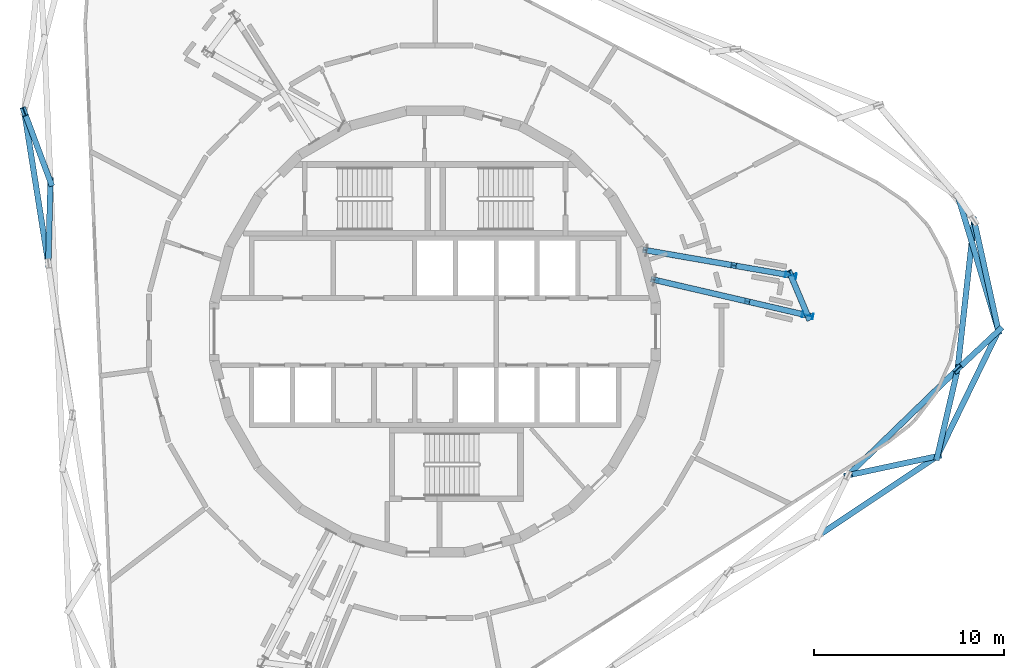
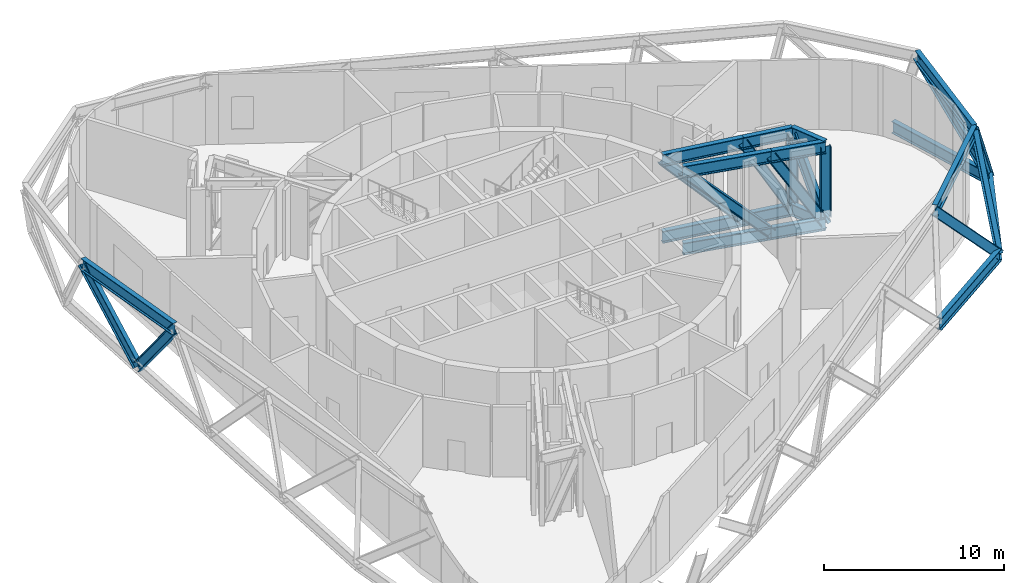
# One storey, part 2 of 12: 29 members.
"""IFC4 building model written with IfcOpenShell, lengths in metres."""

from ifc_helpers import new_model, si_unit, direction, frame, origin, origin_2d, place, context, subcontext, project, spatial, i_section, extrude, material, material_profile, profile_set, type_object, element, save


model = new_model("IFC4")

# Units and contexts
model_context = context("Model", 3, precision=1e-05, world=origin(), true_north=direction((0.0, 1.0)))
body_context = subcontext(model_context, "Body", "Model", "MODEL_VIEW")
ifc_project = project(units=[si_unit("LENGTHUNIT", "METRE"), si_unit("AREAUNIT", "SQUARE_METRE"), si_unit("VOLUMEUNIT", "CUBIC_METRE"), si_unit("PLANEANGLEUNIT", "RADIAN"), si_unit("MASSUNIT", "GRAM", prefix="KILO")], contexts=[model_context])

# Site, building, storey
site_placement = place(None, origin())
site = spatial("IfcSite", under=ifc_project, at=site_placement, CompositionType="ELEMENT")
building_placement = place(site_placement, origin())
building = spatial("IfcBuilding", under=site, at=building_placement, Name="Spindle Arch Residences", CompositionType="ELEMENT")
storey_placement = place(building_placement, frame((0.0, 0.0, 258.199951171875)))
storey = spatial("IfcBuildingStorey", under=building, at=storey_placement, Name="L66", CompositionType="ELEMENT", Elevation=258.199951171875)

# Members
ifc_material_1 = material(Name="Steel S460ML, intumescent coating R 240", Category="steel")
ifc_material_profile_1 = material_profile(ifc_material_1, i_section(OverallWidth=0.302978515625, OverallDepth=0.81396484375, WebThickness=0.02099609375, FlangeThickness=0.0400390625, FilletRadius=0.030029296875, at=origin_2d()), Name="HEM 800")
ifc_profile_set_1 = profile_set([ifc_material_profile_1], Name="Steel S460ML, intumescent coating R 240")
member_type_1 = type_object("IfcMemberType", Name="Belt truss chord HEM 800", PredefinedType="CHORD", material=ifc_profile_set_1)
member_1_placement = place(storey_placement, frame((20.23681640625, -10.74365234375, -0.85693359375), z_axis=(0.831885486304, 0.554947328742, 0.0), x_axis=(-0.554947328742, 0.831885486304, 0.0)))
element("IfcMember", 1, at=member_1_placement, inside=storey, type_object=member_type_1, Name="Belt truss bottom chord L66.2", PredefinedType="CHORD", context=body_context, shape_type="SweptSolid", body=[
    extrude(i_section(OverallWidth=0.302978515625, OverallDepth=0.81396484375, WebThickness=0.02099609375, FlangeThickness=0.0400390625, FilletRadius=0.030029296875, at=origin_2d()), origin(), (0.0, 0.0, 1.0), 7.5224609375),
])
for number, where, z_axis, x_axis, name in (
    (2, (26.49462890625, -6.569091796875, -0.85693359375), (0.438044379356, 0.898953347908, 0.0), (-0.898953347908, 0.438044379356, 0.0), "Belt truss bottom chord L66.3"),
    (3, (29.71728515625, 0.04443359375, -0.85693359375), (-0.288014564957, 0.957626028454, 0.0), (-0.957626028454, -0.288014564957, 0.0), "Belt truss bottom chord L66.4"),
):
    element("IfcMember", number, at=place(storey_placement, frame(where, z_axis=z_axis, x_axis=x_axis)), inside=storey, type_object=member_type_1, Name=name, PredefinedType="CHORD", context=body_context, shape_type="SweptSolid", body=[
        extrude(i_section(OverallWidth=0.302978515625, OverallDepth=0.81396484375, WebThickness=0.02099609375, FlangeThickness=0.0400390625, FilletRadius=0.030029296875, at=origin_2d()), origin(), (0.0, 0.0, 1.0), 7.35693359375),
    ])
member_2_placement = place(storey_placement, frame((21.78369140625, -7.575927734375, 4.343017578125), z_axis=(0.718270539197, 0.695763920106, 0.0), x_axis=(-0.695763920106, 0.718270539197, 0.0)))
element("IfcMember", 4, at=member_2_placement, inside=storey, type_object=member_type_1, Name="Belt truss top chord L66.2", PredefinedType="CHORD", context=body_context, shape_type="SweptSolid", body=[
    extrude(i_section(OverallWidth=0.302978515625, OverallDepth=0.81396484375, WebThickness=0.02099609375, FlangeThickness=0.0400390625, FilletRadius=0.030029296875, at=origin_2d()), origin(), (0.0, 0.0, 1.0), 8.048828125),
])
member_3_placement = place(storey_placement, frame((27.56494140625, -1.975830078125, 4.343017578125), z_axis=(0.110258354404, 0.993902960698, 0.0), x_axis=(-0.993902960698, 0.110258354404, 0.0)))
element("IfcMember", 5, at=member_3_placement, inside=storey, type_object=member_type_1, Name="Belt truss top chord L66.3", PredefinedType="CHORD", context=body_context, shape_type="SweptSolid", body=[
    extrude(i_section(OverallWidth=0.302978515625, OverallDepth=0.81396484375, WebThickness=0.02099609375, FlangeThickness=0.0400390625, FilletRadius=0.030029296875, at=origin_2d()), origin(), (0.0, 0.0, 1.0), 7.8916015625),
])
member_4_placement = place(storey_placement, frame((-21.6806640625, 11.615234375, 4.343017578125), z_axis=(0.15643883454, -0.987687648524, 0.0), x_axis=(0.987687648524, 0.15643883454, 0.0)))
element("IfcMember", 6, at=member_4_placement, inside=storey, type_object=member_type_1, Name="Belt truss top chord L66.12", PredefinedType="CHORD", context=body_context, shape_type="SweptSolid", body=[
    extrude(i_section(OverallWidth=0.302978515625, OverallDepth=0.81396484375, WebThickness=0.02099609375, FlangeThickness=0.0400390625, FilletRadius=0.030029296875, at=origin_2d()), origin(), (0.0, 0.0, 1.0), 8.107421875),
])
ifc_material_2 = material(Name="Steel S460ML, intumescent coating R 240", Category="steel")
ifc_material_profile_2 = material_profile(ifc_material_2, i_section(OverallWidth=0.300048828125, OverallDepth=0.60009765625, WebThickness=0.015380859375, FlangeThickness=0.030029296875, FilletRadius=0.027099609375, at=origin_2d()), Name="HEB 600")
ifc_profile_set_2 = profile_set([ifc_material_profile_2], Name="Steel S460ML, intumescent coating R 240")
member_type_2 = type_object("IfcMemberType", Name="Belt truss diagonal HEB 600", PredefinedType="BRACE", material=ifc_profile_set_2)
member_5_placement = place(storey_placement, frame((26.49462890625, -6.569091796875, -0.85693359375), z_axis=(-0.66459332927, -0.142038914278, 0.733580706889), x_axis=(0.209002978659, -0.97791500393, 0.0)))
element("IfcMember", 7, at=member_5_placement, inside=storey, type_object=member_type_2, Name="Belt truss diagonal L66.2.3", PredefinedType="BRACE", context=body_context, shape_type="SweptSolid", body=[
    extrude(i_section(OverallWidth=0.300048828125, OverallDepth=0.60009765625, WebThickness=0.015380859375, FlangeThickness=0.030029296875, FilletRadius=0.027099609375, at=origin_2d()), origin(), (0.0, 0.0, 1.0), 7.08837890625),
])
member_6_placement = place(storey_placement, frame((26.49462890625, -6.569091796875, -0.85693359375), z_axis=(0.152461969516, 0.654292767902, 0.740713387028), x_axis=(-0.973909131776, 0.226938324317, 0.0)))
element("IfcMember", 8, at=member_6_placement, inside=storey, type_object=member_type_2, Name="Belt truss diagonal L66.3.3", PredefinedType="BRACE", context=body_context, shape_type="SweptSolid", body=[
    extrude(i_section(OverallWidth=0.300048828125, OverallDepth=0.60009765625, WebThickness=0.015380859375, FlangeThickness=0.030029296875, FilletRadius=0.027099609375, at=origin_2d()), origin(), (0.0, 0.0, 1.0), 7.020263671875),
])
member_7_placement = place(storey_placement, frame((29.71728515625, 0.04443359375, -0.85693359375), z_axis=(-0.359958225881, -0.337869137836, 0.869640455199), x_axis=(0.684381178954, -0.729124407693, 0.0)))
element("IfcMember", 9, at=member_7_placement, inside=storey, type_object=member_type_2, Name="Belt truss diagonal L66.3.4", PredefinedType="BRACE", context=body_context, shape_type="SweptSolid", body=[
    extrude(i_section(OverallWidth=0.300048828125, OverallDepth=0.60009765625, WebThickness=0.015380859375, FlangeThickness=0.030029296875, FilletRadius=0.027099609375, at=origin_2d()), origin(), (0.0, 0.0, 1.0), 5.9794921875),
])
member_8_placement = place(storey_placement, frame((29.71728515625, 0.04443359375, -0.85693359375), z_axis=(-0.162068754784, 0.736036545906, 0.657254837802), x_axis=(-0.97660527134, -0.215039866052, 0.0)))
element("IfcMember", 10, at=member_8_placement, inside=storey, type_object=member_type_2, Name="Belt truss diagonal L66.4.4", PredefinedType="BRACE", context=body_context, shape_type="SweptSolid", body=[
    extrude(i_section(OverallWidth=0.300048828125, OverallDepth=0.60009765625, WebThickness=0.015380859375, FlangeThickness=0.030029296875, FilletRadius=0.027099609375, at=origin_2d()), origin(), (0.0, 0.0, 1.0), 7.91162109375),
])
member_9_placement = place(storey_placement, frame((-20.298583984375, 7.9072265625, -0.85693359375), z_axis=(-0.211506910249, 0.567455741541, 0.79577560173), x_axis=(-0.937027094053, -0.349256674969, 0.0)))
element("IfcMember", 11, at=member_9_placement, inside=storey, type_object=member_type_2, Name="Belt truss diagonal L66.12.14", PredefinedType="BRACE", context=body_context, shape_type="SweptSolid", body=[
    extrude(i_section(OverallWidth=0.300048828125, OverallDepth=0.60009765625, WebThickness=0.015380859375, FlangeThickness=0.030029296875, FilletRadius=0.027099609375, at=origin_2d()), origin(), (0.0, 0.0, 1.0), 6.534423828125),
])
member_10_placement = place(storey_placement, frame((-20.298583984375, 7.9072265625, -0.85693359375), z_axis=(-0.016859157248, -0.637138665874, 0.770564785898), x_axis=(0.99965009849, -0.026451476117, 0.0)))
element("IfcMember", 12, at=member_10_placement, inside=storey, type_object=member_type_2, Name="Belt truss diagonal L66.13.14", PredefinedType="BRACE", context=body_context, shape_type="SweptSolid", body=[
    extrude(i_section(OverallWidth=0.300048828125, OverallDepth=0.60009765625, WebThickness=0.015380859375, FlangeThickness=0.030029296875, FilletRadius=0.027099609375, at=origin_2d()), origin(), (0.0, 0.0, 1.0), 6.748291015625),
])
ifc_material_3 = material(Name="Steel S460ML, intumescent coating R 240", Category="steel")
ifc_material_profile_3 = material_profile(ifc_material_3, i_section(OverallWidth=0.302978515625, OverallDepth=0.81396484375, WebThickness=0.02099609375, FlangeThickness=0.0400390625, FilletRadius=0.030029296875, at=origin_2d()), Name="HEM 800")
ifc_profile_set_3 = profile_set([ifc_material_profile_3], Name="Steel S460ML, intumescent coating R 240")
member_type_3 = type_object("IfcMemberType", Name="Transfer truss chord HEM 800", PredefinedType="CHORD", material=ifc_profile_set_3)
for number, where, z_axis, x_axis, name in (
    (13, (11.5859375, 2.728515625, -0.85693359375), (0.974129185029, -0.225991882322, 0.0), (0.225991882322, 0.974129185029, 0.0), "Transfer truss chord L66"),
    (14, (11.5859375, 2.728515625, 4.343017578125), (0.974129185029, -0.225991882322, 0.0), (0.225991882322, 0.974129185029, 0.0), "Transfer truss chord L66"),
):
    element("IfcMember", number, at=place(storey_placement, frame(where, z_axis=z_axis, x_axis=x_axis)), inside=storey, type_object=member_type_3, Name=name, PredefinedType="CHORD", context=body_context, shape_type="SweptSolid", body=[
        extrude(i_section(OverallWidth=0.302978515625, OverallDepth=0.81396484375, WebThickness=0.02099609375, FlangeThickness=0.0400390625, FilletRadius=0.030029296875, at=origin_2d()), origin(), (0.0, 0.0, 1.0), 5.132568359375),
    ])
for number, where, z_axis, x_axis, name in (
    (15, (16.585693359375, 1.568603515625, -0.85693359375), (0.974142059028, -0.225936382267, 0.0), (0.225936382267, 0.974142059028, 0.0), "Transfer truss chord L66"),
    (16, (16.585693359375, 1.568603515625, 4.343017578125), (0.974142059028, -0.225936382267, 0.0), (0.225936382267, 0.974142059028, 0.0), "Transfer truss chord L66"),
):
    element("IfcMember", number, at=place(storey_placement, frame(where, z_axis=z_axis, x_axis=x_axis)), inside=storey, type_object=member_type_3, Name=name, PredefinedType="CHORD", context=body_context, shape_type="SweptSolid", body=[
        extrude(i_section(OverallWidth=0.302978515625, OverallDepth=0.81396484375, WebThickness=0.02099609375, FlangeThickness=0.0400390625, FilletRadius=0.030029296875, at=origin_2d()), origin(), (0.0, 0.0, 1.0), 3.1455078125),
    ])
for number, where, z_axis, x_axis, name in (
    (17, (19.64990234375, 0.85791015625, -0.85693359375), (-0.388271168421, 0.921545169687, 0.0), (-0.921545169687, -0.388271168421, 0.0), "Transfer truss chord L66"),
    (18, (19.64990234375, 0.85791015625, 4.343017578125), (-0.388271168421, 0.921545169687, 0.0), (-0.921545169687, -0.388271168421, 0.0), "Transfer truss chord L66"),
):
    element("IfcMember", number, at=place(storey_placement, frame(where, z_axis=z_axis, x_axis=x_axis)), inside=storey, type_object=member_type_3, Name=name, PredefinedType="CHORD", context=body_context, shape_type="SweptSolid", body=[
        extrude(i_section(OverallWidth=0.302978515625, OverallDepth=0.81396484375, WebThickness=0.02099609375, FlangeThickness=0.0400390625, FilletRadius=0.030029296875, at=origin_2d()), origin(), (0.0, 0.0, 1.0), 2.293212890625),
    ])
for number, where, z_axis, x_axis, name in (
    (19, (11.168701171875, 4.2861328125, -0.85693359375), (0.985328198065, -0.170670273037, 0.0), (0.170670273037, 0.985328198065, 0.0), "Transfer truss chord L66"),
    (20, (11.168701171875, 4.2861328125, 4.343017578125), (0.985328198065, -0.170670273037, 0.0), (0.170670273037, 0.985328198065, 0.0), "Transfer truss chord L66"),
):
    element("IfcMember", number, at=place(storey_placement, frame(where, z_axis=z_axis, x_axis=x_axis)), inside=storey, type_object=member_type_3, Name=name, PredefinedType="CHORD", context=body_context, shape_type="SweptSolid", body=[
        extrude(i_section(OverallWidth=0.302978515625, OverallDepth=0.81396484375, WebThickness=0.02099609375, FlangeThickness=0.0400390625, FilletRadius=0.030029296875, at=origin_2d()), origin(), (0.0, 0.0, 1.0), 4.7763671875),
    ])
for number, where, z_axis, x_axis, name in (
    (21, (15.875, 3.470947265625, -0.85693359375), (0.985321115562, -0.170711157305, 0.0), (0.170711157305, 0.985321115562, 0.0), "Transfer truss chord L66"),
    (22, (15.875, 3.470947265625, 4.343017578125), (0.985321115562, -0.170711157305, 0.0), (0.170711157305, 0.985321115562, 0.0), "Transfer truss chord L66"),
):
    element("IfcMember", number, at=place(storey_placement, frame(where, z_axis=z_axis, x_axis=x_axis)), inside=storey, type_object=member_type_3, Name=name, PredefinedType="CHORD", context=body_context, shape_type="SweptSolid", body=[
        extrude(i_section(OverallWidth=0.302978515625, OverallDepth=0.81396484375, WebThickness=0.02099609375, FlangeThickness=0.0400390625, FilletRadius=0.030029296875, at=origin_2d()), origin(), (0.0, 0.0, 1.0), 2.927490234375),
    ])
ifc_material_4 = material(Name="Steel S460ML, intumescent coating R 240", Category="steel")
ifc_material_profile_4 = material_profile(ifc_material_4, i_section(OverallWidth=0.304931640625, OverallDepth=0.6201171875, WebThickness=0.02099609375, FlangeThickness=0.0400390625, FilletRadius=0.027099609375, at=origin_2d()), Name="HEM 600")
ifc_profile_set_4 = profile_set([ifc_material_profile_4], Name="Steel S460ML, intumescent coating R 240")
member_type_4 = type_object("IfcMemberType", Name="Transfer truss diagonal HEM 600", PredefinedType="BRACE", material=ifc_profile_set_4)
member_11_placement = place(storey_placement, frame((16.585693359375, 1.568603515625, -0.85693359375), z_axis=(-0.684304757699, 0.158754426672, 0.711705016564), x_axis=(-0.225991882322, -0.974129185029, 0.0)))
element("IfcMember", 23, at=member_11_placement, inside=storey, type_object=member_type_4, Name="Transfer truss diagonal L66", PredefinedType="BRACE", context=body_context, shape_type="SweptSolid", body=[
    extrude(i_section(OverallWidth=0.304931640625, OverallDepth=0.6201171875, WebThickness=0.02099609375, FlangeThickness=0.0400390625, FilletRadius=0.027099609375, at=origin_2d()), origin(), (0.0, 0.0, 1.0), 7.306396484375),
])
member_12_placement = place(storey_placement, frame((19.64990234375, 0.85791015625, -0.85693359375), z_axis=(-0.504203063373, 0.116941687314, 0.855630710443), x_axis=(-0.225936382267, -0.974142059028, 0.0)))
element("IfcMember", 24, at=member_12_placement, inside=storey, type_object=member_type_4, Name="Transfer truss diagonal L66", PredefinedType="BRACE", context=body_context, shape_type="SweptSolid", body=[
    extrude(i_section(OverallWidth=0.304931640625, OverallDepth=0.6201171875, WebThickness=0.02099609375, FlangeThickness=0.0400390625, FilletRadius=0.027099609375, at=origin_2d()), origin(), (0.0, 0.0, 1.0), 6.077392578125),
])
member_13_placement = place(storey_placement, frame((19.64990234375, 0.85791015625, -0.85693359375), z_axis=(-0.156670225307, 0.371850142653, 0.914976454293), x_axis=(-0.921545169687, -0.388271168421, 0.0)))
element("IfcMember", 25, at=member_13_placement, inside=storey, type_object=member_type_4, Name="Transfer truss diagonal L66", PredefinedType="BRACE", context=body_context, shape_type="SweptSolid", body=[
    extrude(i_section(OverallWidth=0.304931640625, OverallDepth=0.6201171875, WebThickness=0.02099609375, FlangeThickness=0.0400390625, FilletRadius=0.027099609375, at=origin_2d()), origin(), (0.0, 0.0, 1.0), 5.68310546875),
])
member_14_placement = place(storey_placement, frame((15.875, 3.470947265625, -0.85693359375), z_axis=(-0.666549921596, 0.115454177943, 0.736465569335), x_axis=(-0.170670273037, -0.985328198065, 0.0)))
element("IfcMember", 26, at=member_14_placement, inside=storey, type_object=member_type_4, Name="Transfer truss diagonal L66", PredefinedType="BRACE", context=body_context, shape_type="SweptSolid", body=[
    extrude(i_section(OverallWidth=0.304931640625, OverallDepth=0.6201171875, WebThickness=0.02099609375, FlangeThickness=0.0400390625, FilletRadius=0.027099609375, at=origin_2d()), origin(), (0.0, 0.0, 1.0), 7.060791015625),
])
member_15_placement = place(storey_placement, frame((18.759521484375, 2.97119140625, -0.85693359375), z_axis=(-0.483380966279, 0.083747849173, 0.871394938703), x_axis=(-0.170711157305, -0.985321115562, 0.0)))
element("IfcMember", 27, at=member_15_placement, inside=storey, type_object=member_type_4, Name="Transfer truss diagonal L66", PredefinedType="BRACE", context=body_context, shape_type="SweptSolid", body=[
    extrude(i_section(OverallWidth=0.304931640625, OverallDepth=0.6201171875, WebThickness=0.02099609375, FlangeThickness=0.0400390625, FilletRadius=0.027099609375, at=origin_2d()), origin(), (0.0, 0.0, 1.0), 5.96728515625),
])
ifc_material_5 = material(Name="Steel S460ML, intumescent coating R 240", Category="steel")
ifc_material_profile_5 = material_profile(ifc_material_5, i_section(OverallWidth=0.300048828125, OverallDepth=0.60009765625, WebThickness=0.015380859375, FlangeThickness=0.030029296875, FilletRadius=0.027099609375, at=origin_2d()), Name="HEB 600")
ifc_profile_set_5 = profile_set([ifc_material_profile_5], Name="Steel S460ML, intumescent coating R 240")
member_type_5 = type_object("IfcMemberType", Name="Transfer truss post HEB 600", PredefinedType="POST", material=ifc_profile_set_5)
member_16_placement = place(storey_placement, frame((19.64990234375, 0.85791015625, -0.449951171875), z_axis=(0.0, 0.0, 1.0), x_axis=(-0.225960469571, -0.974136472057, 0.0)))
element("IfcMember", 28, at=member_16_placement, inside=storey, type_object=member_type_5, Name="Transfer truss post L66", PredefinedType="POST", context=body_context, shape_type="SweptSolid", body=[
    extrude(i_section(OverallWidth=0.300048828125, OverallDepth=0.60009765625, WebThickness=0.015380859375, FlangeThickness=0.030029296875, FilletRadius=0.027099609375, at=origin_2d()), origin(), (0.0, 0.0, 1.0), 4.79296875),
])
member_17_placement = place(storey_placement, frame((18.759521484375, 2.97119140625, -0.85693359375), z_axis=(0.0, 0.0, 1.0), x_axis=(-0.170697392628, -0.985323500253, 0.0)))
element("IfcMember", 29, at=member_17_placement, inside=storey, type_object=member_type_5, Name="Transfer truss post L66", PredefinedType="POST", context=body_context, shape_type="SweptSolid", body=[
    extrude(i_section(OverallWidth=0.300048828125, OverallDepth=0.60009765625, WebThickness=0.015380859375, FlangeThickness=0.030029296875, FilletRadius=0.027099609375, at=origin_2d()), origin(), (0.0, 0.0, 1.0), 5.199951171875),
])

save(model, "model.ifc")
